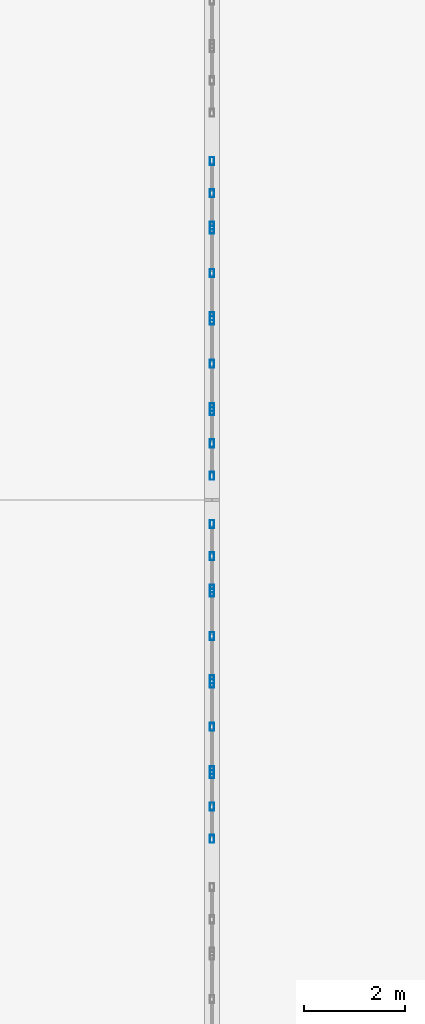
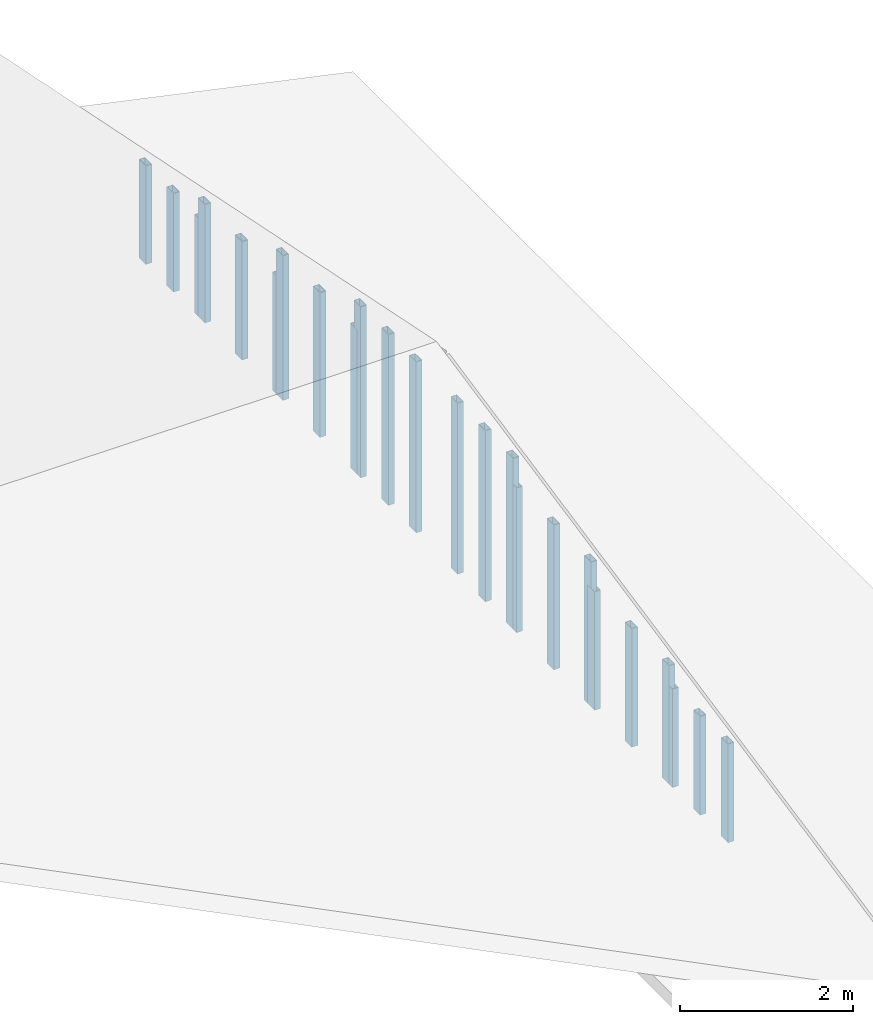
# One storey, part 30 of 76: 24 members, 8 elements without a shape of their own.
"""IFC4 building model written with IfcOpenShell, lengths in metres."""

from ifc_helpers import new_model, si_unit, direction, frame, origin, origin_2d, place, context, subcontext, project, spatial, hollow_rectangle, extrude, material, layer, layer_set, material_profile, profile_set, type_object, element, aggregate, save


model = new_model("IFC4")

# Units and contexts
model_context = context("Model", 3, precision=1e-05, world=origin(), true_north=direction((0.0, 1.0)))
body_context = subcontext(model_context, "Body", "Model", "MODEL_VIEW")
ifc_project = project(units=[si_unit("LENGTHUNIT", "METRE"), si_unit("AREAUNIT", "SQUARE_METRE"), si_unit("VOLUMEUNIT", "CUBIC_METRE"), si_unit("PLANEANGLEUNIT", "RADIAN"), si_unit("MASSUNIT", "GRAM", prefix="KILO"), si_unit("THERMODYNAMICTEMPERATUREUNIT", "KELVIN"), si_unit("POWERUNIT", "WATT")], contexts=[model_context])

# Site, building, storey
site_placement = place(None, origin())
site = spatial("IfcSite", under=ifc_project, at=site_placement, CompositionType="ELEMENT")
building_placement = place(site_placement, origin())
building = spatial("IfcBuilding", under=site, at=building_placement, Name="Kaldorven Railside Theatre", CompositionType="ELEMENT")
storey_placement = place(building_placement, frame((0.0, 0.0, 14.39990234375)))
storey = spatial("IfcBuildingStorey", under=building, at=storey_placement, Name="L03", CompositionType="ELEMENT", Elevation=14.39990234375)

# Curtain wall, members
ifc_material_1 = material(Name="Low-E laminated solar-control glass", Category="glass")
ifc_layer_1 = layer(ifc_material_1, 0.159912109375, Name="Low-E laminated solar-control glass")
ifc_layer_set_1 = layer_set([ifc_layer_1], Name="Low-E laminated solar-control glass")
curtain_wall_type_1 = type_object("IfcCurtainWallType", Name="CWT-73", PredefinedType="USERDEFINED", material=ifc_layer_set_1)
curtain_wall_1_placement = place(storey_placement, origin())
curtain_wall_1 = element("IfcCurtainWall", 1, at=curtain_wall_1_placement, inside=storey, type_object=curtain_wall_type_1, Name="Rehearsal East Gable Clerestory CWG-160", ObjectType="FLUTED GLAZING", PredefinedType="USERDEFINED")
ifc_material_2 = material(Name="Anodised bronze aluminium", Category="aluminium")
ifc_material_profile = material_profile(ifc_material_2, hollow_rectangle(XDim=0.080078125, YDim=0.159912109375, WallThickness=0.00634765625, at=origin_2d()), Name="RHS 160x80x6.3")
ifc_profile_set = profile_set([ifc_material_profile], Name="Anodised bronze aluminium")
member_type = type_object("IfcMemberType", Name="CWM-160", PredefinedType="MULLION", material=ifc_profile_set)
member_1_placement = place(storey_placement, frame((180.800048828125, 120.47998046875, 0.02001953125), z_axis=(0.0, 0.0, 1.0), x_axis=(-1.0, 0.0, 0.0)))
member_1 = element("IfcMember", 2, at=member_1_placement, type_object=member_type, Name="CWG-160 mullion 1", PredefinedType="MULLION", context=body_context, shape_type="SweptSolid", body=[
    extrude(hollow_rectangle(XDim=0.080078125, YDim=0.159912109375, WallThickness=0.00634765625, at=origin_2d()), origin(), (0.0, 0.0, 1.0), 1.39013671875),
])
member_2_placement = place(storey_placement, frame((180.800048828125, 121.1201171875, 0.02001953125), z_axis=(0.0, 0.0, 1.0), x_axis=(-1.0, 0.0, 0.0)))
member_2 = element("IfcMember", 3, at=member_2_placement, type_object=member_type, Name="CWG-160 mullion 2", PredefinedType="MULLION", context=body_context, shape_type="SweptSolid", body=[
    extrude(hollow_rectangle(XDim=0.080078125, YDim=0.159912109375, WallThickness=0.00634765625, at=origin_2d()), origin(), (0.0, 0.0, 1.0), 1.39013671875),
])
member_3_placement = place(storey_placement, frame((180.800048828125, 121.760009765625, 0.02001953125), z_axis=(0.0, 0.0, 1.0), x_axis=(-1.0, 0.0, 0.0)))
member_3 = element("IfcMember", 4, at=member_3_placement, type_object=member_type, Name="CWG-160 mullion 3", PredefinedType="MULLION", context=body_context, shape_type="SweptSolid", body=[
    extrude(hollow_rectangle(XDim=0.080078125, YDim=0.159912109375, WallThickness=0.00634765625, at=origin_2d()), origin(), (0.0, 0.0, 1.0), 1.39013671875),
])
aggregate(curtain_wall_1, [member_1, member_2, member_3])

ifc_layer_2 = layer(ifc_material_1, 0.159912109375, Name="Low-E laminated solar-control glass")
ifc_layer_set_2 = layer_set([ifc_layer_2], Name="Low-E laminated solar-control glass")
curtain_wall_type_2 = type_object("IfcCurtainWallType", Name="CWT-74", PredefinedType="USERDEFINED", material=ifc_layer_set_2)
curtain_wall_2_placement = place(storey_placement, origin())
curtain_wall_2 = element("IfcCurtainWall", 5, at=curtain_wall_2_placement, inside=storey, type_object=curtain_wall_type_2, Name="Rehearsal East Gable Clerestory CWG-161", ObjectType="FLUTED GLAZING", PredefinedType="USERDEFINED")
member_4_placement = place(storey_placement, frame((180.800048828125, 121.840087890625, 0.02001953125), z_axis=(0.0, 0.0, 1.0), x_axis=(-1.0, 0.0, 0.0)))
member_4 = element("IfcMember", 6, at=member_4_placement, type_object=member_type, Name="CWG-161 mullion 1", PredefinedType="MULLION", context=body_context, shape_type="SweptSolid", body=[
    extrude(hollow_rectangle(XDim=0.080078125, YDim=0.159912109375, WallThickness=0.00634765625, at=origin_2d()), origin(), (0.0, 0.0, 1.0), 1.670166015625),
])
member_5_placement = place(storey_placement, frame((180.800048828125, 122.699951171875, 0.02001953125), z_axis=(0.0, 0.0, 1.0), x_axis=(-1.0, 0.0, 0.0)))
member_5 = element("IfcMember", 7, at=member_5_placement, type_object=member_type, Name="CWG-161 mullion 2", PredefinedType="MULLION", context=body_context, shape_type="SweptSolid", body=[
    extrude(hollow_rectangle(XDim=0.080078125, YDim=0.159912109375, WallThickness=0.00634765625, at=origin_2d()), origin(), (0.0, 0.0, 1.0), 1.670166015625),
])
member_6_placement = place(storey_placement, frame((180.800048828125, 123.56005859375, 0.02001953125), z_axis=(0.0, 0.0, 1.0), x_axis=(-1.0, 0.0, 0.0)))
member_6 = element("IfcMember", 8, at=member_6_placement, type_object=member_type, Name="CWG-161 mullion 3", PredefinedType="MULLION", context=body_context, shape_type="SweptSolid", body=[
    extrude(hollow_rectangle(XDim=0.080078125, YDim=0.159912109375, WallThickness=0.00634765625, at=origin_2d()), origin(), (0.0, 0.0, 1.0), 1.670166015625),
])
aggregate(curtain_wall_2, [member_4, member_5, member_6])

ifc_layer_3 = layer(ifc_material_1, 0.159912109375, Name="Low-E laminated solar-control glass")
ifc_layer_set_3 = layer_set([ifc_layer_3], Name="Low-E laminated solar-control glass")
curtain_wall_type_3 = type_object("IfcCurtainWallType", Name="CWT-75", PredefinedType="USERDEFINED", material=ifc_layer_set_3)
curtain_wall_3_placement = place(storey_placement, origin())
curtain_wall_3 = element("IfcCurtainWall", 9, at=curtain_wall_3_placement, inside=storey, type_object=curtain_wall_type_3, Name="Rehearsal East Gable Clerestory CWG-162", ObjectType="FLUTED GLAZING", PredefinedType="USERDEFINED")
member_7_placement = place(storey_placement, frame((180.800048828125, 123.639892578125, 0.02001953125), z_axis=(0.0, 0.0, 1.0), x_axis=(-1.0, 0.0, 0.0)))
member_7 = element("IfcMember", 10, at=member_7_placement, type_object=member_type, Name="CWG-162 mullion 1", PredefinedType="MULLION", context=body_context, shape_type="SweptSolid", body=[
    extrude(hollow_rectangle(XDim=0.080078125, YDim=0.159912109375, WallThickness=0.00634765625, at=origin_2d()), origin(), (0.0, 0.0, 1.0), 2.0400390625),
])
member_8_placement = place(storey_placement, frame((180.800048828125, 124.5, 0.02001953125), z_axis=(0.0, 0.0, 1.0), x_axis=(-1.0, 0.0, 0.0)))
member_8 = element("IfcMember", 11, at=member_8_placement, type_object=member_type, Name="CWG-162 mullion 2", PredefinedType="MULLION", context=body_context, shape_type="SweptSolid", body=[
    extrude(hollow_rectangle(XDim=0.080078125, YDim=0.159912109375, WallThickness=0.00634765625, at=origin_2d()), origin(), (0.0, 0.0, 1.0), 2.0400390625),
])
member_9_placement = place(storey_placement, frame((180.800048828125, 125.360107421875, 0.02001953125), z_axis=(0.0, 0.0, 1.0), x_axis=(-1.0, 0.0, 0.0)))
member_9 = element("IfcMember", 12, at=member_9_placement, type_object=member_type, Name="CWG-162 mullion 3", PredefinedType="MULLION", context=body_context, shape_type="SweptSolid", body=[
    extrude(hollow_rectangle(XDim=0.080078125, YDim=0.159912109375, WallThickness=0.00634765625, at=origin_2d()), origin(), (0.0, 0.0, 1.0), 2.0400390625),
])
aggregate(curtain_wall_3, [member_7, member_8, member_9])

ifc_layer_4 = layer(ifc_material_1, 0.159912109375, Name="Low-E laminated solar-control glass")
ifc_layer_set_4 = layer_set([ifc_layer_4], Name="Low-E laminated solar-control glass")
curtain_wall_type_4 = type_object("IfcCurtainWallType", Name="CWT-76", PredefinedType="USERDEFINED", material=ifc_layer_set_4)
curtain_wall_4_placement = place(storey_placement, origin())
curtain_wall_4 = element("IfcCurtainWall", 13, at=curtain_wall_4_placement, inside=storey, type_object=curtain_wall_type_4, Name="Rehearsal East Gable Clerestory CWG-163", ObjectType="FLUTED GLAZING", PredefinedType="USERDEFINED")
member_10_placement = place(storey_placement, frame((180.800048828125, 125.43994140625, 0.02001953125), z_axis=(0.0, 0.0, 1.0), x_axis=(-1.0, 0.0, 0.0)))
member_10 = element("IfcMember", 14, at=member_10_placement, type_object=member_type, Name="CWG-163 mullion 1", PredefinedType="MULLION", context=body_context, shape_type="SweptSolid", body=[
    extrude(hollow_rectangle(XDim=0.080078125, YDim=0.159912109375, WallThickness=0.00634765625, at=origin_2d()), origin(), (0.0, 0.0, 1.0), 2.41015625),
])
member_11_placement = place(storey_placement, frame((180.800048828125, 126.080078125, 0.02001953125), z_axis=(0.0, 0.0, 1.0), x_axis=(-1.0, 0.0, 0.0)))
member_11 = element("IfcMember", 15, at=member_11_placement, type_object=member_type, Name="CWG-163 mullion 2", PredefinedType="MULLION", context=body_context, shape_type="SweptSolid", body=[
    extrude(hollow_rectangle(XDim=0.080078125, YDim=0.159912109375, WallThickness=0.00634765625, at=origin_2d()), origin(), (0.0, 0.0, 1.0), 2.41015625),
])
member_12_placement = place(storey_placement, frame((180.800048828125, 126.719970703125, 0.02001953125), z_axis=(0.0, 0.0, 1.0), x_axis=(-1.0, 0.0, 0.0)))
member_12 = element("IfcMember", 16, at=member_12_placement, type_object=member_type, Name="CWG-163 mullion 3", PredefinedType="MULLION", context=body_context, shape_type="SweptSolid", body=[
    extrude(hollow_rectangle(XDim=0.080078125, YDim=0.159912109375, WallThickness=0.00634765625, at=origin_2d()), origin(), (0.0, 0.0, 1.0), 2.41015625),
])
aggregate(curtain_wall_4, [member_10, member_11, member_12])

curtain_wall_5_placement = place(storey_placement, origin())
curtain_wall_5 = element("IfcCurtainWall", 17, at=curtain_wall_5_placement, inside=storey, type_object=curtain_wall_type_4, Name="Rehearsal East Gable Clerestory CWG-164", ObjectType="FLUTED GLAZING", PredefinedType="USERDEFINED")
member_13_placement = place(storey_placement, frame((180.800048828125, 127.679931640625, 0.02001953125), z_axis=(0.0, 0.0, 1.0), x_axis=(-1.0, 0.0, 0.0)))
member_13 = element("IfcMember", 18, at=member_13_placement, type_object=member_type, Name="CWG-164 mullion 1", PredefinedType="MULLION", context=body_context, shape_type="SweptSolid", body=[
    extrude(hollow_rectangle(XDim=0.080078125, YDim=0.159912109375, WallThickness=0.00634765625, at=origin_2d()), origin(), (0.0, 0.0, 1.0), 2.41015625),
])
member_14_placement = place(storey_placement, frame((180.800048828125, 128.320068359375, 0.02001953125), z_axis=(0.0, 0.0, 1.0), x_axis=(-1.0, 0.0, 0.0)))
member_14 = element("IfcMember", 19, at=member_14_placement, type_object=member_type, Name="CWG-164 mullion 2", PredefinedType="MULLION", context=body_context, shape_type="SweptSolid", body=[
    extrude(hollow_rectangle(XDim=0.080078125, YDim=0.159912109375, WallThickness=0.00634765625, at=origin_2d()), origin(), (0.0, 0.0, 1.0), 2.41015625),
])
member_15_placement = place(storey_placement, frame((180.800048828125, 128.9599609375, 0.02001953125), z_axis=(0.0, 0.0, 1.0), x_axis=(-1.0, 0.0, 0.0)))
member_15 = element("IfcMember", 20, at=member_15_placement, type_object=member_type, Name="CWG-164 mullion 3", PredefinedType="MULLION", context=body_context, shape_type="SweptSolid", body=[
    extrude(hollow_rectangle(XDim=0.080078125, YDim=0.159912109375, WallThickness=0.00634765625, at=origin_2d()), origin(), (0.0, 0.0, 1.0), 2.41015625),
])
aggregate(curtain_wall_5, [member_13, member_14, member_15])

curtain_wall_6_placement = place(storey_placement, origin())
curtain_wall_6 = element("IfcCurtainWall", 21, at=curtain_wall_6_placement, inside=storey, type_object=curtain_wall_type_3, Name="Rehearsal East Gable Clerestory CWG-165", ObjectType="FLUTED GLAZING", PredefinedType="USERDEFINED")
member_16_placement = place(storey_placement, frame((180.800048828125, 129.0400390625, 0.02001953125), z_axis=(0.0, 0.0, 1.0), x_axis=(-1.0, 0.0, 0.0)))
member_16 = element("IfcMember", 22, at=member_16_placement, type_object=member_type, Name="CWG-165 mullion 1", PredefinedType="MULLION", context=body_context, shape_type="SweptSolid", body=[
    extrude(hollow_rectangle(XDim=0.080078125, YDim=0.159912109375, WallThickness=0.00634765625, at=origin_2d()), origin(), (0.0, 0.0, 1.0), 2.0400390625),
])
member_17_placement = place(storey_placement, frame((180.800048828125, 129.89990234375, 0.02001953125), z_axis=(0.0, 0.0, 1.0), x_axis=(-1.0, 0.0, 0.0)))
member_17 = element("IfcMember", 23, at=member_17_placement, type_object=member_type, Name="CWG-165 mullion 2", PredefinedType="MULLION", context=body_context, shape_type="SweptSolid", body=[
    extrude(hollow_rectangle(XDim=0.080078125, YDim=0.159912109375, WallThickness=0.00634765625, at=origin_2d()), origin(), (0.0, 0.0, 1.0), 2.0400390625),
])
member_18_placement = place(storey_placement, frame((180.800048828125, 130.760009765625, 0.02001953125), z_axis=(0.0, 0.0, 1.0), x_axis=(-1.0, 0.0, 0.0)))
member_18 = element("IfcMember", 24, at=member_18_placement, type_object=member_type, Name="CWG-165 mullion 3", PredefinedType="MULLION", context=body_context, shape_type="SweptSolid", body=[
    extrude(hollow_rectangle(XDim=0.080078125, YDim=0.159912109375, WallThickness=0.00634765625, at=origin_2d()), origin(), (0.0, 0.0, 1.0), 2.0400390625),
])
aggregate(curtain_wall_6, [member_16, member_17, member_18])

curtain_wall_7_placement = place(storey_placement, origin())
curtain_wall_7 = element("IfcCurtainWall", 25, at=curtain_wall_7_placement, inside=storey, type_object=curtain_wall_type_2, Name="Rehearsal East Gable Clerestory CWG-166", ObjectType="FLUTED GLAZING", PredefinedType="USERDEFINED")
member_19_placement = place(storey_placement, frame((180.800048828125, 130.840087890625, 0.02001953125), z_axis=(0.0, 0.0, 1.0), x_axis=(-1.0, 0.0, 0.0)))
member_19 = element("IfcMember", 26, at=member_19_placement, type_object=member_type, Name="CWG-166 mullion 1", PredefinedType="MULLION", context=body_context, shape_type="SweptSolid", body=[
    extrude(hollow_rectangle(XDim=0.080078125, YDim=0.159912109375, WallThickness=0.00634765625, at=origin_2d()), origin(), (0.0, 0.0, 1.0), 1.670166015625),
])
member_20_placement = place(storey_placement, frame((180.800048828125, 131.699951171875, 0.02001953125), z_axis=(0.0, 0.0, 1.0), x_axis=(-1.0, 0.0, 0.0)))
member_20 = element("IfcMember", 27, at=member_20_placement, type_object=member_type, Name="CWG-166 mullion 2", PredefinedType="MULLION", context=body_context, shape_type="SweptSolid", body=[
    extrude(hollow_rectangle(XDim=0.080078125, YDim=0.159912109375, WallThickness=0.00634765625, at=origin_2d()), origin(), (0.0, 0.0, 1.0), 1.670166015625),
])
member_21_placement = place(storey_placement, frame((180.800048828125, 132.56005859375, 0.02001953125), z_axis=(0.0, 0.0, 1.0), x_axis=(-1.0, 0.0, 0.0)))
member_21 = element("IfcMember", 28, at=member_21_placement, type_object=member_type, Name="CWG-166 mullion 3", PredefinedType="MULLION", context=body_context, shape_type="SweptSolid", body=[
    extrude(hollow_rectangle(XDim=0.080078125, YDim=0.159912109375, WallThickness=0.00634765625, at=origin_2d()), origin(), (0.0, 0.0, 1.0), 1.670166015625),
])
aggregate(curtain_wall_7, [member_19, member_20, member_21])

curtain_wall_8_placement = place(storey_placement, origin())
curtain_wall_8 = element("IfcCurtainWall", 29, at=curtain_wall_8_placement, inside=storey, type_object=curtain_wall_type_1, Name="Rehearsal East Gable Clerestory CWG-167", ObjectType="FLUTED GLAZING", PredefinedType="USERDEFINED")
member_22_placement = place(storey_placement, frame((180.800048828125, 132.639892578125, 0.02001953125), z_axis=(0.0, 0.0, 1.0), x_axis=(-1.0, 0.0, 0.0)))
member_22 = element("IfcMember", 30, at=member_22_placement, type_object=member_type, Name="CWG-167 mullion 1", PredefinedType="MULLION", context=body_context, shape_type="SweptSolid", body=[
    extrude(hollow_rectangle(XDim=0.080078125, YDim=0.159912109375, WallThickness=0.00634765625, at=origin_2d()), origin(), (0.0, 0.0, 1.0), 1.39013671875),
])
member_23_placement = place(storey_placement, frame((180.800048828125, 133.280029296875, 0.02001953125), z_axis=(0.0, 0.0, 1.0), x_axis=(-1.0, 0.0, 0.0)))
member_23 = element("IfcMember", 31, at=member_23_placement, type_object=member_type, Name="CWG-167 mullion 2", PredefinedType="MULLION", context=body_context, shape_type="SweptSolid", body=[
    extrude(hollow_rectangle(XDim=0.080078125, YDim=0.159912109375, WallThickness=0.00634765625, at=origin_2d()), origin(), (0.0, 0.0, 1.0), 1.39013671875),
])
member_24_placement = place(storey_placement, frame((180.800048828125, 133.919921875, 0.02001953125), z_axis=(0.0, 0.0, 1.0), x_axis=(-1.0, 0.0, 0.0)))
member_24 = element("IfcMember", 32, at=member_24_placement, type_object=member_type, Name="CWG-167 mullion 3", PredefinedType="MULLION", context=body_context, shape_type="SweptSolid", body=[
    extrude(hollow_rectangle(XDim=0.080078125, YDim=0.159912109375, WallThickness=0.00634765625, at=origin_2d()), origin(), (0.0, 0.0, 1.0), 1.39013671875),
])
aggregate(curtain_wall_8, [member_22, member_23, member_24])

save(model, "model.ifc")
